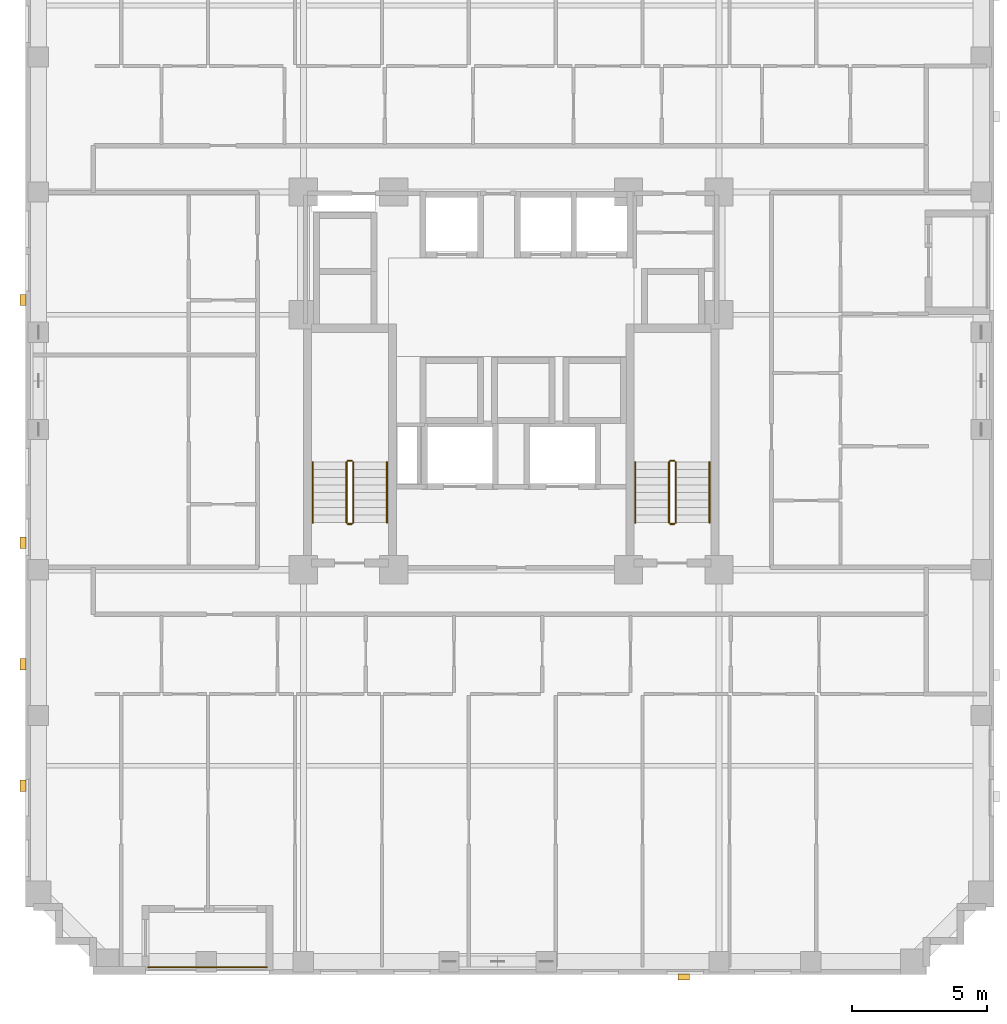
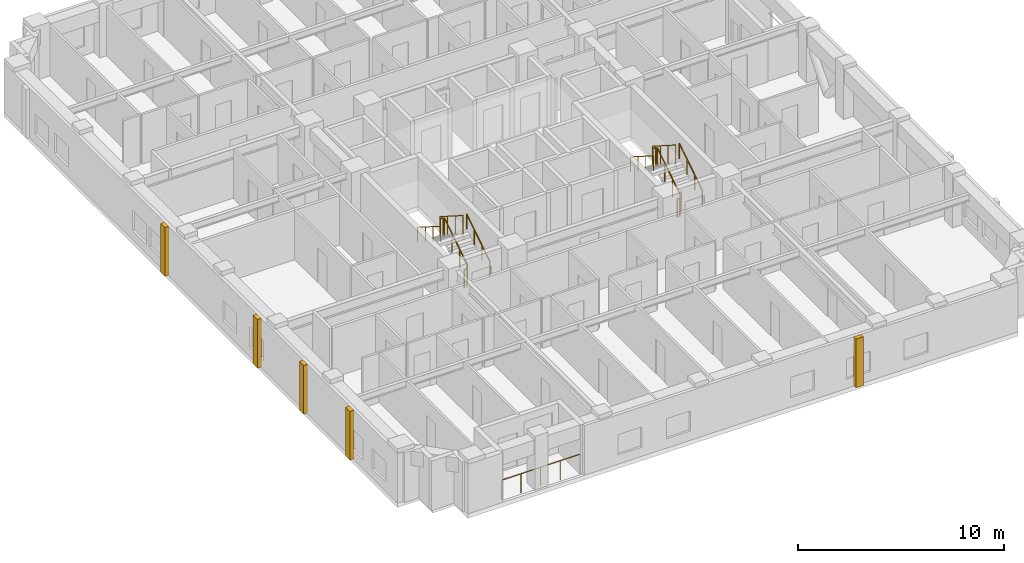
# One storey, part 12 of 13: 13 railings, 5 coverings.
"""IFC4 building model written with IfcOpenShell, lengths in metres."""

from ifc_helpers import new_model, si_unit, derived_unit, direction, frame, origin, origin_2d, place, context, subcontext, project, spatial, rectangle, circle, extrude, material, layer, layer_set, type_object, element, save


model = new_model("IFC4")

# Units and contexts
model_context = context("Model", 3, precision=1e-05, world=origin(), true_north=direction((0.0, 1.0)))
body_context = subcontext(model_context, "Body", "Model", "MODEL_VIEW")
ifc_project = project(units=[si_unit("LENGTHUNIT", "METRE"), si_unit("AREAUNIT", "SQUARE_METRE"), si_unit("VOLUMEUNIT", "CUBIC_METRE"), si_unit("PLANEANGLEUNIT", "RADIAN"), si_unit("MASSUNIT", "GRAM", prefix="KILO"), derived_unit("THERMALTRANSMITTANCEUNIT", [(si_unit("MASSUNIT", "GRAM", prefix="KILO"), 1), (si_unit("TIMEUNIT", "SECOND"), -3), (si_unit("THERMODYNAMICTEMPERATUREUNIT", "KELVIN"), -1)])], contexts=[model_context])

# Site, building, storey
site_placement = place(None, origin())
site = spatial("IfcSite", under=ifc_project, at=site_placement, CompositionType="ELEMENT")
building_placement = place(site_placement, origin())
building = spatial("IfcBuilding", under=site, at=building_placement, Name="Korrvale Station Residences", CompositionType="ELEMENT")
storey_placement = place(building_placement, frame((0.0, 0.0, 97.5)))
storey = spatial("IfcBuildingStorey", under=building, at=storey_placement, Name="L27", CompositionType="ELEMENT", Elevation=97.5)

# Coverings
ifc_material_1 = material(Name="Architectural precast concrete C45/55", Category="concrete")
ifc_layer = layer(ifc_material_1, 0.219970703125, Name="Architectural precast concrete C45/55")
ifc_layer_set = layer_set([ifc_layer], Name="Architectural precast concrete C45/55")
covering_type = type_object("IfcCoveringType", Name="COV-PIER-400", PredefinedType="CLADDING", material=ifc_layer_set)
for number, where, z_axis, x_axis, name in (
    (1, (31.89990234375, -0.090087890625, 0.02490234375), (0.0, 0.0, 1.0), (1.0, 0.0, 0.0), "L27 Architectural Precast Facade Pier 01"),
    (2, (7.409912109375, 7.0, 0.02490234375), (0.0, 0.0, 1.0), (0.0, 1.0, 0.0), "L27 Architectural Precast Facade Pier 04"),
    (3, (7.409912109375, 11.5, 0.02490234375), (0.0, 0.0, 1.0), (0.0, 1.0, 0.0), "L27 Architectural Precast Facade Pier 05"),
    (4, (7.409912109375, 16.0, 0.02490234375), (0.0, 0.0, 1.0), (0.0, 1.0, 0.0), "L27 Architectural Precast Facade Pier 06"),
    (5, (7.409912109375, 25.0, 0.02490234375), (0.0, 0.0, 1.0), (0.0, 1.0, 0.0), "L27 Architectural Precast Facade Pier 07"),
):
    element("IfcCovering", number, at=place(storey_placement, frame(where, z_axis=z_axis, x_axis=x_axis)), inside=storey, type_object=covering_type, Name=name, PredefinedType="CLADDING", context=body_context, shape_type="SweptSolid", body=[
        extrude(rectangle(XDim=0.419921875, YDim=0.219970703125, at=origin_2d()), origin(), (0.0, 0.0, 1.0), 2.889892578125),
    ])

# Railings
ifc_material_2 = material(Name="Powder-coated aluminium picket loggia guard", Category="aluminium")
railing_type_1 = type_object("IfcRailingType", Name="RLG-BAL-1150", PredefinedType="GUARDRAIL", material=ifc_material_2)
railing_1_placement = place(storey_placement, frame((12.050048828125, 0.27001953125, 0.0)))
element("IfcRailing", 6, at=railing_1_placement, inside=storey, type_object=railing_type_1, Name="L27 Recessed Loggia Guardrail BAL-L27-S1", PredefinedType="GUARDRAIL", context=body_context, shape_type="SweptSolid", body=[
    extrude(circle(Radius=0.02392578125, at=origin_2d()), frame((0.0, 0.0, 1.1259765625), z_axis=(1.0, 0.0, 0.0), x_axis=(0.0, 1.0, 0.0)), (0.0, 0.0, 1.0), 4.39990234375),
    extrude(circle(Radius=0.02099609375, at=origin_2d()), origin(), (0.0, 0.0, 1.0), 1.101806640625),
    extrude(circle(Radius=0.02099609375, at=origin_2d()), frame((1.10009765625, 0.0, 0.0)), (0.0, 0.0, 1.0), 1.101806640625),
    extrude(circle(Radius=0.02099609375, at=origin_2d()), frame((2.199951171875, 0.0, 0.0)), (0.0, 0.0, 1.0), 1.101806640625),
    extrude(circle(Radius=0.02099609375, at=origin_2d()), frame((3.2998046875, 0.0, 0.0)), (0.0, 0.0, 1.0), 1.101806640625),
    extrude(circle(Radius=0.02099609375, at=origin_2d()), frame((4.39990234375, 0.0, 0.0)), (0.0, 0.0, 1.0), 1.101806640625),
])
ifc_material_3 = material(Name="Brushed stainless-steel continuous stair handrail", Category="steel")
railing_type_2 = type_object("IfcRailingType", Name="RLG-SHND-900", PredefinedType="HANDRAIL", material=ifc_material_3)
railing_2_placement = place(storey_placement, frame((20.89990234375, 16.75, 0.177734375)))
element("IfcRailing", 7, at=railing_2_placement, inside=storey, type_object=railing_type_2, Name="L27 ST-1 stair handrail 1", PredefinedType="HANDRAIL", context=body_context, shape_type="SweptSolid", body=[
    extrude(circle(Radius=0.02392578125, at=origin_2d()), frame((0.0, 0.0, 0.8759765625), z_axis=(0.0, 0.84418770128, 0.536047689118), x_axis=(-1.0, 0.0, 0.0)), (0.0, 0.0, 1.0), 2.6533203125),
    extrude(circle(Radius=0.02099609375, at=origin_2d()), origin(), (0.0, 0.0, 1.0), 0.851806640625),
    extrude(circle(Radius=0.02099609375, at=origin_2d()), frame((0.0, 0.74658203125, 0.47412109375)), (0.0, 0.0, 1.0), 0.851806640625),
    extrude(circle(Radius=0.02099609375, at=origin_2d()), frame((0.0, 1.493408203125, 0.9482421875)), (0.0, 0.0, 1.0), 0.851806640625),
    extrude(circle(Radius=0.02099609375, at=origin_2d()), frame((0.0, 2.239990234375, 1.42236328125)), (0.0, 0.0, 1.0), 0.851806640625),
])
railing_3_placement = place(storey_placement, frame((18.14990234375, 18.989990234375, 1.77783203125)))
element("IfcRailing", 8, at=railing_3_placement, inside=storey, type_object=railing_type_2, Name="L27 ST-1 stair handrail 2", PredefinedType="HANDRAIL", context=body_context, shape_type="SweptSolid", body=[
    extrude(circle(Radius=0.02392578125, at=origin_2d()), frame((0.0, 0.0, 0.8759765625), z_axis=(0.0, -0.8442293374, 0.53598211339), x_axis=(1.0, 0.0, 0.0)), (0.0, 0.0, 1.0), 2.6533203125),
    extrude(circle(Radius=0.02099609375, at=origin_2d()), origin(), (0.0, 0.0, 1.0), 0.851806640625),
    extrude(circle(Radius=0.02099609375, at=origin_2d()), frame((0.0, -0.74658203125, 0.47412109375)), (0.0, 0.0, 1.0), 0.851806640625),
    extrude(circle(Radius=0.02099609375, at=origin_2d()), frame((0.0, -1.493408203125, 0.947998046875)), (0.0, 0.0, 1.0), 0.851806640625),
    extrude(circle(Radius=0.02099609375, at=origin_2d()), frame((0.0, -2.239990234375, 1.422119140625)), (0.0, 0.0, 1.0), 0.851806640625),
])
railing_4_placement = place(storey_placement, frame((32.85009765625, 16.75, 0.177734375)))
element("IfcRailing", 9, at=railing_4_placement, inside=storey, type_object=railing_type_2, Name="L27 ST-2 stair handrail 1", PredefinedType="HANDRAIL", context=body_context, shape_type="SweptSolid", body=[
    extrude(circle(Radius=0.02392578125, at=origin_2d()), frame((0.0, 0.0, 0.8759765625), z_axis=(0.0, 0.84418770128, 0.536047689118), x_axis=(-1.0, 0.0, 0.0)), (0.0, 0.0, 1.0), 2.6533203125),
    extrude(circle(Radius=0.02099609375, at=origin_2d()), origin(), (0.0, 0.0, 1.0), 0.851806640625),
    extrude(circle(Radius=0.02099609375, at=origin_2d()), frame((0.0, 0.74658203125, 0.47412109375)), (0.0, 0.0, 1.0), 0.851806640625),
    extrude(circle(Radius=0.02099609375, at=origin_2d()), frame((0.0, 1.493408203125, 0.9482421875)), (0.0, 0.0, 1.0), 0.851806640625),
    extrude(circle(Radius=0.02099609375, at=origin_2d()), frame((0.0, 2.239990234375, 1.42236328125)), (0.0, 0.0, 1.0), 0.851806640625),
])
railing_5_placement = place(storey_placement, frame((30.10009765625, 18.989990234375, 1.77783203125)))
element("IfcRailing", 10, at=railing_5_placement, inside=storey, type_object=railing_type_2, Name="L27 ST-2 stair handrail 2", PredefinedType="HANDRAIL", context=body_context, shape_type="SweptSolid", body=[
    extrude(circle(Radius=0.02392578125, at=origin_2d()), frame((0.0, 0.0, 0.8759765625), z_axis=(0.0, -0.8442293374, 0.53598211339), x_axis=(1.0, 0.0, 0.0)), (0.0, 0.0, 1.0), 2.6533203125),
    extrude(circle(Radius=0.02099609375, at=origin_2d()), origin(), (0.0, 0.0, 1.0), 0.851806640625),
    extrude(circle(Radius=0.02099609375, at=origin_2d()), frame((0.0, -0.74658203125, 0.47412109375)), (0.0, 0.0, 1.0), 0.851806640625),
    extrude(circle(Radius=0.02099609375, at=origin_2d()), frame((0.0, -1.493408203125, 0.947998046875)), (0.0, 0.0, 1.0), 0.851806640625),
    extrude(circle(Radius=0.02099609375, at=origin_2d()), frame((0.0, -2.239990234375, 1.422119140625)), (0.0, 0.0, 1.0), 0.851806640625),
])
ifc_material_4 = material(Name="Galvanised painted tubular steel stair guard", Category="steel")
railing_type_3 = type_object("IfcRailingType", Name="RLG-STR-1100", PredefinedType="GUARDRAIL", material=ifc_material_4)
railing_6_placement = place(storey_placement, frame((19.64990234375, 16.75, 0.177734375)))
element("IfcRailing", 11, at=railing_6_placement, inside=storey, type_object=railing_type_3, Name="L27 ST-1 stair guard 1", PredefinedType="GUARDRAIL", context=body_context, shape_type="SweptSolid", body=[
    extrude(circle(Radius=0.02392578125, at=origin_2d()), frame((0.0, 0.0, 1.076171875), z_axis=(0.0, 0.84418770128, 0.536047689118), x_axis=(-1.0, 0.0, 0.0)), (0.0, 0.0, 1.0), 2.6533203125),
    extrude(circle(Radius=0.02099609375, at=origin_2d()), origin(), (0.0, 0.0, 1.0), 1.052001953125),
    extrude(circle(Radius=0.02099609375, at=origin_2d()), frame((0.0, 0.74658203125, 0.47412109375)), (0.0, 0.0, 1.0), 1.052001953125),
    extrude(circle(Radius=0.02099609375, at=origin_2d()), frame((0.0, 1.493408203125, 0.9482421875)), (0.0, 0.0, 1.0), 1.052001953125),
    extrude(circle(Radius=0.02099609375, at=origin_2d()), frame((0.0, 2.239990234375, 1.42236328125)), (0.0, 0.0, 1.0), 1.052001953125),
])
railing_7_placement = place(storey_placement, frame((19.60009765625, 19.0400390625, 1.60009765625)))
element("IfcRailing", 12, at=railing_7_placement, inside=storey, type_object=railing_type_3, Name="L27 ST-1 stair guard 2", PredefinedType="GUARDRAIL", context=body_context, shape_type="SweptSolid", body=[
    extrude(circle(Radius=0.02392578125, at=origin_2d()), frame((0.0, 0.0, 1.076171875), z_axis=(-1.0, 0.0, 0.0), x_axis=(0.0, -1.0, 0.0)), (0.0, 0.0, 1.0), 0.150146484375),
    extrude(circle(Radius=0.02099609375, at=origin_2d()), origin(), (0.0, 0.0, 1.0), 1.052001953125),
    extrude(circle(Radius=0.02099609375, at=origin_2d()), frame((-0.150146484375, 0.0, 0.0)), (0.0, 0.0, 1.0), 1.052001953125),
])
railing_8_placement = place(storey_placement, frame((19.39990234375, 18.989990234375, 1.77783203125)))
element("IfcRailing", 13, at=railing_8_placement, inside=storey, type_object=railing_type_3, Name="L27 ST-1 stair guard 3", PredefinedType="GUARDRAIL", context=body_context, shape_type="SweptSolid", body=[
    extrude(circle(Radius=0.02392578125, at=origin_2d()), frame((0.0, 0.0, 1.076171875), z_axis=(0.0, -0.8442293374, 0.53598211339), x_axis=(1.0, 0.0, 0.0)), (0.0, 0.0, 1.0), 2.6533203125),
    extrude(circle(Radius=0.02099609375, at=origin_2d()), origin(), (0.0, 0.0, 1.0), 1.052001953125),
    extrude(circle(Radius=0.02099609375, at=origin_2d()), frame((0.0, -0.74658203125, 0.47412109375)), (0.0, 0.0, 1.0), 1.052001953125),
    extrude(circle(Radius=0.02099609375, at=origin_2d()), frame((0.0, -1.493408203125, 0.947998046875)), (0.0, 0.0, 1.0), 1.052001953125),
    extrude(circle(Radius=0.02099609375, at=origin_2d()), frame((0.0, -2.239990234375, 1.422119140625)), (0.0, 0.0, 1.0), 1.052001953125),
])
railing_9_placement = place(storey_placement, frame((19.60009765625, 16.699951171875, 0.0)))
element("IfcRailing", 14, at=railing_9_placement, inside=storey, type_object=railing_type_3, Name="L27 ST-1 stair guard 4", PredefinedType="GUARDRAIL", context=body_context, shape_type="SweptSolid", body=[
    extrude(circle(Radius=0.02392578125, at=origin_2d()), frame((0.0, 0.0, 1.076171875), z_axis=(-1.0, 0.0, 0.0), x_axis=(0.0, -1.0, 0.0)), (0.0, 0.0, 1.0), 0.150146484375),
    extrude(circle(Radius=0.02099609375, at=origin_2d()), origin(), (0.0, 0.0, 1.0), 1.052001953125),
    extrude(circle(Radius=0.02099609375, at=origin_2d()), frame((-0.150146484375, 0.0, 0.0)), (0.0, 0.0, 1.0), 1.052001953125),
])
railing_10_placement = place(storey_placement, frame((31.60009765625, 16.75, 0.177734375)))
element("IfcRailing", 15, at=railing_10_placement, inside=storey, type_object=railing_type_3, Name="L27 ST-2 stair guard 1", PredefinedType="GUARDRAIL", context=body_context, shape_type="SweptSolid", body=[
    extrude(circle(Radius=0.02392578125, at=origin_2d()), frame((0.0, 0.0, 1.076171875), z_axis=(0.0, 0.84418770128, 0.536047689118), x_axis=(-1.0, 0.0, 0.0)), (0.0, 0.0, 1.0), 2.6533203125),
    extrude(circle(Radius=0.02099609375, at=origin_2d()), origin(), (0.0, 0.0, 1.0), 1.052001953125),
    extrude(circle(Radius=0.02099609375, at=origin_2d()), frame((0.0, 0.74658203125, 0.47412109375)), (0.0, 0.0, 1.0), 1.052001953125),
    extrude(circle(Radius=0.02099609375, at=origin_2d()), frame((0.0, 1.493408203125, 0.9482421875)), (0.0, 0.0, 1.0), 1.052001953125),
    extrude(circle(Radius=0.02099609375, at=origin_2d()), frame((0.0, 2.239990234375, 1.42236328125)), (0.0, 0.0, 1.0), 1.052001953125),
])
railing_11_placement = place(storey_placement, frame((31.550048828125, 19.0400390625, 1.60009765625)))
element("IfcRailing", 16, at=railing_11_placement, inside=storey, type_object=railing_type_3, Name="L27 ST-2 stair guard 2", PredefinedType="GUARDRAIL", context=body_context, shape_type="SweptSolid", body=[
    extrude(circle(Radius=0.02392578125, at=origin_2d()), frame((0.0, 0.0, 1.076171875), z_axis=(-1.0, 0.0, 0.0), x_axis=(0.0, -1.0, 0.0)), (0.0, 0.0, 1.0), 0.150146484375),
    extrude(circle(Radius=0.02099609375, at=origin_2d()), origin(), (0.0, 0.0, 1.0), 1.052001953125),
    extrude(circle(Radius=0.02099609375, at=origin_2d()), frame((-0.150146484375, 0.0, 0.0)), (0.0, 0.0, 1.0), 1.052001953125),
])
railing_12_placement = place(storey_placement, frame((31.35009765625, 18.989990234375, 1.77783203125)))
element("IfcRailing", 17, at=railing_12_placement, inside=storey, type_object=railing_type_3, Name="L27 ST-2 stair guard 3", PredefinedType="GUARDRAIL", context=body_context, shape_type="SweptSolid", body=[
    extrude(circle(Radius=0.02392578125, at=origin_2d()), frame((0.0, 0.0, 1.076171875), z_axis=(0.0, -0.8442293374, 0.53598211339), x_axis=(1.0, 0.0, 0.0)), (0.0, 0.0, 1.0), 2.6533203125),
    extrude(circle(Radius=0.02099609375, at=origin_2d()), origin(), (0.0, 0.0, 1.0), 1.052001953125),
    extrude(circle(Radius=0.02099609375, at=origin_2d()), frame((0.0, -0.74658203125, 0.47412109375)), (0.0, 0.0, 1.0), 1.052001953125),
    extrude(circle(Radius=0.02099609375, at=origin_2d()), frame((0.0, -1.493408203125, 0.947998046875)), (0.0, 0.0, 1.0), 1.052001953125),
    extrude(circle(Radius=0.02099609375, at=origin_2d()), frame((0.0, -2.239990234375, 1.422119140625)), (0.0, 0.0, 1.0), 1.052001953125),
])
railing_13_placement = place(storey_placement, frame((31.550048828125, 16.699951171875, 0.0)))
element("IfcRailing", 18, at=railing_13_placement, inside=storey, type_object=railing_type_3, Name="L27 ST-2 stair guard 4", PredefinedType="GUARDRAIL", context=body_context, shape_type="SweptSolid", body=[
    extrude(circle(Radius=0.02392578125, at=origin_2d()), frame((0.0, 0.0, 1.076171875), z_axis=(-1.0, 0.0, 0.0), x_axis=(0.0, -1.0, 0.0)), (0.0, 0.0, 1.0), 0.150146484375),
    extrude(circle(Radius=0.02099609375, at=origin_2d()), origin(), (0.0, 0.0, 1.0), 1.052001953125),
    extrude(circle(Radius=0.02099609375, at=origin_2d()), frame((-0.150146484375, 0.0, 0.0)), (0.0, 0.0, 1.0), 1.052001953125),
])

save(model, "model.ifc")
